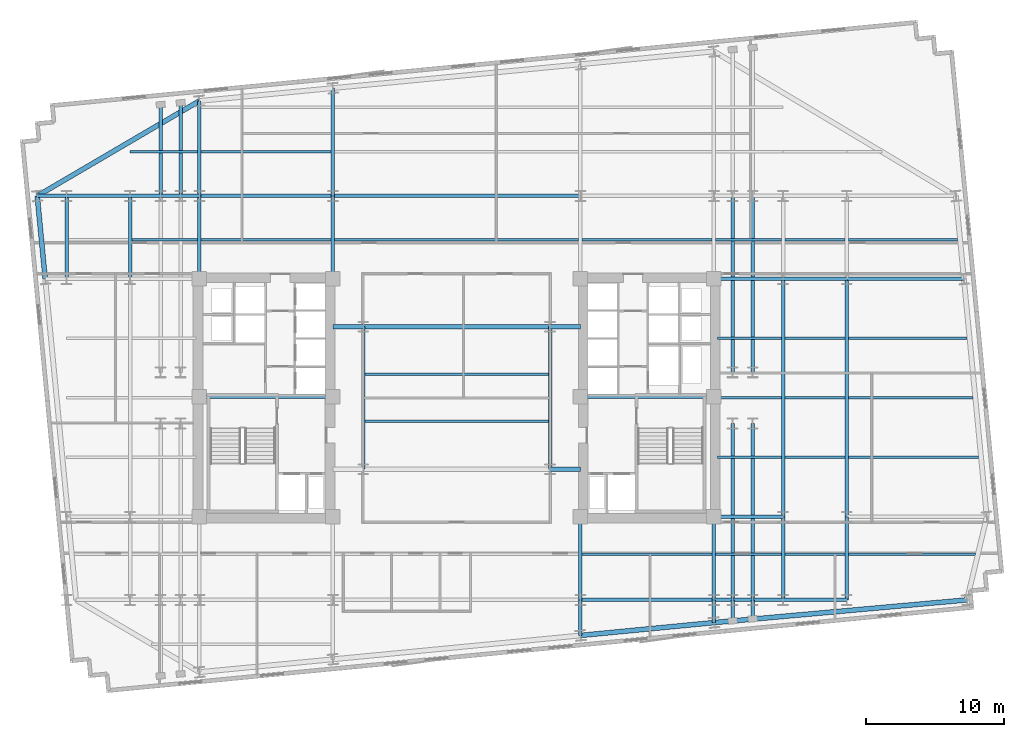
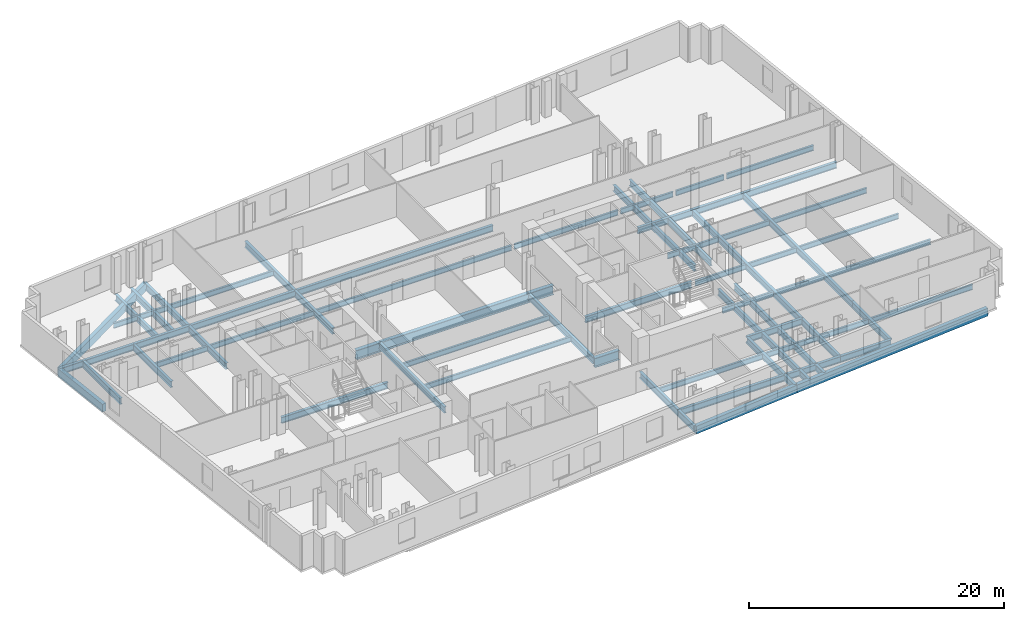
# One storey, part 2 of 10: 70 beams.
"""IFC4 building model written with IfcOpenShell, lengths in metres."""

from ifc_helpers import new_model, si_unit, direction, frame, origin, origin_2d, place, context, subcontext, project, spatial, rectangle, i_section, extrude, material, material_profile, profile_set, type_object, element, save


model = new_model("IFC4")

# Units and contexts
model_context = context("Model", 3, precision=1e-05, world=origin(), true_north=direction((0.0, 1.0)))
body_context = subcontext(model_context, "Body", "Model", "MODEL_VIEW")
ifc_project = project(units=[si_unit("LENGTHUNIT", "METRE"), si_unit("AREAUNIT", "SQUARE_METRE"), si_unit("VOLUMEUNIT", "CUBIC_METRE"), si_unit("PLANEANGLEUNIT", "RADIAN"), si_unit("MASSUNIT", "GRAM", prefix="KILO")], contexts=[model_context])

# Site, building, storey
site_placement = place(None, origin())
site = spatial("IfcSite", under=ifc_project, at=site_placement, CompositionType="ELEMENT")
building_placement = place(site_placement, origin())
building = spatial("IfcBuilding", under=site, at=building_placement, Name="Velakula Bourse", CompositionType="ELEMENT")
storey_placement = place(building_placement, frame((0.0, 0.0, 94.89990234375)))
storey = spatial("IfcBuildingStorey", under=building, at=storey_placement, Name="L25", CompositionType="ELEMENT", Elevation=94.89990234375)

# Beams
ifc_material_1 = material(Name="Steel IS 2062 Grade 350 (E350)", Category="steel")
ifc_material_profile_1 = material_profile(ifc_material_1, i_section(OverallWidth=0.25, OverallDepth=0.60009765625, WebThickness=0.01171875, FlangeThickness=0.023681640625, at=origin_2d()), Name="Steel IS 2062 Grade 350 (E350)")
ifc_profile_set_1 = profile_set([ifc_material_profile_1], Name="Steel IS 2062 Grade 350 (E350)")
beam_type_1 = type_object("IfcBeamType", Name="BM-GRD-600H", PredefinedType="BEAM", material=ifc_profile_set_1)
for number, where, z_axis, x_axis, name in (
    (1, (-18.60009765625, 0.10009765625, -0.47998046875), (1.0, 0.0, 0.0), (0.0, 1.0, 0.0), "L25 Primary Backbone Girder CRW-M"),
    (2, (8.949951171875, 0.10009765625, -0.47998046875), (1.0, 0.0, 0.0), (0.0, 1.0, 0.0), "L25 Primary Backbone Girder CRE-M"),
):
    element("IfcBeam", number, at=place(storey_placement, frame(where, z_axis=z_axis, x_axis=x_axis)), inside=storey, type_object=beam_type_1, Name=name, PredefinedType="BEAM", context=body_context, shape_type="SweptSolid", body=[
        extrude(i_section(OverallWidth=0.25, OverallDepth=0.60009765625, WebThickness=0.01171875, FlangeThickness=0.023681640625, at=origin_2d()), origin(), (0.0, 0.0, 1.0), 9.650146484375),
    ])
for number, where, z_axis, x_axis, name in (
    (3, (-6.75, -5.14990234375, -0.47998046875), (0.0, 1.0, 0.0), (-1.0, 0.0, 0.0), "L25 Primary Backbone Girder SPN-W"),
    (4, (6.75, -5.14990234375, -0.47998046875), (0.0, 1.0, 0.0), (-1.0, 0.0, 0.0), "L25 Primary Backbone Girder SPN-E"),
):
    element("IfcBeam", number, at=place(storey_placement, frame(where, z_axis=z_axis, x_axis=x_axis)), inside=storey, type_object=beam_type_1, Name=name, PredefinedType="BEAM", context=body_context, shape_type="SweptSolid", body=[
        extrude(i_section(OverallWidth=0.25, OverallDepth=0.60009765625, WebThickness=0.01171875, FlangeThickness=0.023681640625, at=origin_2d()), origin(), (0.0, 0.0, 1.0), 10.2998046875),
    ])
for number, where, z_axis, x_axis, name in (
    (5, (-18.60009765625, 8.60009765625, -0.47998046875), (0.0, 1.0, 0.0), (-1.0, 0.0, 0.0), "L25 Fulcrum Grid Girder FLC-WN"),
    (6, (-8.949951171875, 8.60009765625, -0.47998046875), (0.0, 1.0, 0.0), (-1.0, 0.0, 0.0), "L25 Fulcrum Grid Girder FLC-WCN"),
    (7, (8.949951171875, -14.60009765625, -0.47998046875), (0.0, 1.0, 0.0), (-1.0, 0.0, 0.0), "L25 Fulcrum Grid Girder FLC-ECS"),
    (8, (18.60009765625, -14.60009765625, -0.47998046875), (0.0, 1.0, 0.0), (-1.0, 0.0, 0.0), "L25 Fulcrum Grid Girder FLC-ES"),
):
    element("IfcBeam", number, at=place(storey_placement, frame(where, z_axis=z_axis, x_axis=x_axis)), inside=storey, type_object=beam_type_1, Name=name, PredefinedType="BEAM", context=body_context, shape_type="SweptSolid", body=[
        extrude(i_section(OverallWidth=0.25, OverallDepth=0.60009765625, WebThickness=0.01171875, FlangeThickness=0.023681640625, at=origin_2d()), origin(), (0.0, 0.0, 1.0), 6.0),
    ])
for number, where, z_axis, x_axis, name in (
    (9, (8.949951171875, -14.60009765625, -0.47998046875), (1.0, 0.0, 0.0), (0.0, 1.0, 0.0), "L25 Fulcrum Grid Girder FLC-S3"),
    (10, (-18.60009765625, 14.60009765625, -0.47998046875), (1.0, 0.0, 0.0), (0.0, 1.0, 0.0), "L25 Fulcrum Grid Girder FLC-N1"),
):
    element("IfcBeam", number, at=place(storey_placement, frame(where, z_axis=z_axis, x_axis=x_axis)), inside=storey, type_object=beam_type_1, Name=name, PredefinedType="BEAM", context=body_context, shape_type="SweptSolid", body=[
        extrude(i_section(OverallWidth=0.25, OverallDepth=0.60009765625, WebThickness=0.01171875, FlangeThickness=0.023681640625, at=origin_2d()), origin(), (0.0, 0.0, 1.0), 9.650146484375),
    ])
beam_1_placement = place(storey_placement, frame((-8.949951171875, 14.60009765625, -0.47998046875), z_axis=(1.0, 0.0, 0.0), x_axis=(0.0, 1.0, 0.0)))
element("IfcBeam", 11, at=beam_1_placement, inside=storey, type_object=beam_type_1, Name="L25 Fulcrum Grid Girder FLC-N2", PredefinedType="BEAM", context=body_context, shape_type="SweptSolid", body=[
    extrude(i_section(OverallWidth=0.25, OverallDepth=0.60009765625, WebThickness=0.01171875, FlangeThickness=0.023681640625, at=origin_2d()), origin(), (0.0, 0.0, 1.0), 17.89990234375),
])
for number, where, z_axis, x_axis, name in (
    (12, (19.949951171875, -14.60009765625, -0.47998046875), (0.0, 1.0, 0.0), (-1.0, 0.0, 0.0), "L25 Fulcrum Grid Girder FLC-PSE1"),
    (13, (19.949951171875, 1.85009765625, -0.47998046875), (0.0, 1.0, 0.0), (-1.0, 0.0, 0.0), "L25 Fulcrum Grid Girder FLC-PNE1"),
    (14, (21.39990234375, -14.60009765625, -0.47998046875), (0.0, 1.0, 0.0), (-1.0, 0.0, 0.0), "L25 Fulcrum Grid Girder FLC-PSE2"),
    (15, (21.39990234375, 1.85009765625, -0.47998046875), (0.0, 1.0, 0.0), (-1.0, 0.0, 0.0), "L25 Fulcrum Grid Girder FLC-PNE2"),
):
    element("IfcBeam", number, at=place(storey_placement, frame(where, z_axis=z_axis, x_axis=x_axis)), inside=storey, type_object=beam_type_1, Name=name, PredefinedType="BEAM", context=body_context, shape_type="SweptSolid", body=[
        extrude(i_section(OverallWidth=0.25, OverallDepth=0.60009765625, WebThickness=0.01171875, FlangeThickness=0.023681640625, at=origin_2d()), origin(), (0.0, 0.0, 1.0), 12.75),
    ])
beam_2_placement = place(storey_placement, frame((-23.60009765625, 14.60009765625, -0.47998046875), z_axis=(1.0, 0.0, 0.0), x_axis=(0.0, 1.0, 0.0)))
element("IfcBeam", 16, at=beam_2_placement, inside=storey, type_object=beam_type_1, Name="L25 Fulcrum Grid Girder MWG-WN2", PredefinedType="BEAM", context=body_context, shape_type="SweptSolid", body=[
    extrude(i_section(OverallWidth=0.25, OverallDepth=0.60009765625, WebThickness=0.01171875, FlangeThickness=0.023681640625, at=origin_2d()), origin(), (0.0, 0.0, 1.0), 5.0),
])
beam_3_placement = place(storey_placement, frame((-23.60009765625, 8.60009765625, -0.47998046875), z_axis=(0.0, 1.0, 0.0), x_axis=(-1.0, 0.0, 0.0)))
element("IfcBeam", 17, at=beam_3_placement, inside=storey, type_object=beam_type_1, Name="L25 Fulcrum Grid Girder MWG-WNS3", PredefinedType="BEAM", context=body_context, shape_type="SweptSolid", body=[
    extrude(i_section(OverallWidth=0.25, OverallDepth=0.60009765625, WebThickness=0.01171875, FlangeThickness=0.023681640625, at=origin_2d()), origin(), (0.0, 0.0, 1.0), 6.0),
])
for number, where, z_axis, x_axis, name in (
    (18, (18.60009765625, -14.60009765625, -0.47998046875), (1.0, 0.0, 0.0), (0.0, 1.0, 0.0), "L25 Fulcrum Grid Girder MWG-ES1"),
    (19, (18.60009765625, -8.60009765625, -0.47998046875), (1.0, 0.0, 0.0), (0.0, 1.0, 0.0), "L25 Fulcrum Grid Girder MWG-ES2"),
    (20, (18.60009765625, 8.60009765625, -0.47998046875), (1.0, 0.0, 0.0), (0.0, 1.0, 0.0), "L25 Fulcrum Grid Girder MWG-EN1"),
):
    element("IfcBeam", number, at=place(storey_placement, frame(where, z_axis=z_axis, x_axis=x_axis)), inside=storey, type_object=beam_type_1, Name=name, PredefinedType="BEAM", context=body_context, shape_type="SweptSolid", body=[
        extrude(i_section(OverallWidth=0.25, OverallDepth=0.60009765625, WebThickness=0.01171875, FlangeThickness=0.023681640625, at=origin_2d()), origin(), (0.0, 0.0, 1.0), 5.0),
    ])
beam_4_placement = place(storey_placement, frame((23.60009765625, -14.60009765625, -0.47998046875), z_axis=(0.0, 1.0, 0.0), x_axis=(-1.0, 0.0, 0.0)))
element("IfcBeam", 21, at=beam_4_placement, inside=storey, type_object=beam_type_1, Name="L25 Fulcrum Grid Girder MWG-ENS1", PredefinedType="BEAM", context=body_context, shape_type="SweptSolid", body=[
    extrude(i_section(OverallWidth=0.25, OverallDepth=0.60009765625, WebThickness=0.01171875, FlangeThickness=0.023681640625, at=origin_2d()), origin(), (0.0, 0.0, 1.0), 6.0),
])
beam_5_placement = place(storey_placement, frame((23.60009765625, -8.60009765625, -0.47998046875), z_axis=(0.0, 1.0, 0.0), x_axis=(-1.0, 0.0, 0.0)))
element("IfcBeam", 22, at=beam_5_placement, inside=storey, type_object=beam_type_1, Name="L25 Fulcrum Grid Girder MWG-ENS2", PredefinedType="BEAM", context=body_context, shape_type="SweptSolid", body=[
    extrude(i_section(OverallWidth=0.25, OverallDepth=0.60009765625, WebThickness=0.01171875, FlangeThickness=0.023681640625, at=origin_2d()), origin(), (0.0, 0.0, 1.0), 17.2001953125),
])
beam_6_placement = place(storey_placement, frame((-28.199951171875, 14.60009765625, -0.47998046875), z_axis=(1.0, 0.0, 0.0), x_axis=(0.0, 1.0, 0.0)))
element("IfcBeam", 23, at=beam_6_placement, inside=storey, type_object=beam_type_1, Name="L25 Fulcrum Grid Girder WNG-WN2", PredefinedType="BEAM", context=body_context, shape_type="SweptSolid", body=[
    extrude(i_section(OverallWidth=0.25, OverallDepth=0.60009765625, WebThickness=0.01171875, FlangeThickness=0.023681640625, at=origin_2d()), origin(), (0.0, 0.0, 1.0), 4.599853515625),
])
beam_7_placement = place(storey_placement, frame((-28.199951171875, 8.60009765625, -0.47998046875), z_axis=(0.0, 1.0, 0.0), x_axis=(-1.0, 0.0, 0.0)))
element("IfcBeam", 24, at=beam_7_placement, inside=storey, type_object=beam_type_1, Name="L25 Fulcrum Grid Girder WNG-WNS3", PredefinedType="BEAM", context=body_context, shape_type="SweptSolid", body=[
    extrude(i_section(OverallWidth=0.25, OverallDepth=0.60009765625, WebThickness=0.01171875, FlangeThickness=0.023681640625, at=origin_2d()), origin(), (0.0, 0.0, 1.0), 6.0),
])
for number, where, z_axis, x_axis, name in (
    (25, (23.60009765625, -14.60009765625, -0.47998046875), (1.0, 0.0, 0.0), (0.0, 1.0, 0.0), "L25 Fulcrum Grid Girder WNG-ES1"),
    (26, (23.60009765625, 8.60009765625, -0.47998046875), (1.0, 0.0, 0.0), (0.0, 1.0, 0.0), "L25 Fulcrum Grid Girder WNG-EN1"),
):
    element("IfcBeam", number, at=place(storey_placement, frame(where, z_axis=z_axis, x_axis=x_axis)), inside=storey, type_object=beam_type_1, Name=name, PredefinedType="BEAM", context=body_context, shape_type="SweptSolid", body=[
        extrude(i_section(OverallWidth=0.25, OverallDepth=0.60009765625, WebThickness=0.01171875, FlangeThickness=0.023681640625, at=origin_2d()), origin(), (0.0, 0.0, 1.0), 4.599853515625),
    ])
beam_8_placement = place(storey_placement, frame((28.199951171875, -14.60009765625, -0.47998046875), z_axis=(0.0, 1.0, 0.0), x_axis=(-1.0, 0.0, 0.0)))
element("IfcBeam", 27, at=beam_8_placement, inside=storey, type_object=beam_type_1, Name="L25 Fulcrum Grid Girder WNG-ENS1", PredefinedType="BEAM", context=body_context, shape_type="SweptSolid", body=[
    extrude(i_section(OverallWidth=0.25, OverallDepth=0.60009765625, WebThickness=0.01171875, FlangeThickness=0.023681640625, at=origin_2d()), origin(), (0.0, 0.0, 1.0), 6.0),
])
beam_9_placement = place(storey_placement, frame((28.199951171875, -8.60009765625, -0.47998046875), z_axis=(0.0, 1.0, 0.0), x_axis=(-1.0, 0.0, 0.0)))
element("IfcBeam", 28, at=beam_9_placement, inside=storey, type_object=beam_type_1, Name="L25 Fulcrum Grid Girder WNG-ENS2", PredefinedType="BEAM", context=body_context, shape_type="SweptSolid", body=[
    extrude(i_section(OverallWidth=0.25, OverallDepth=0.60009765625, WebThickness=0.01171875, FlangeThickness=0.023681640625, at=origin_2d()), origin(), (0.0, 0.0, 1.0), 17.2001953125),
])
beam_10_placement = place(storey_placement, frame((8.949951171875, -14.60009765625, -0.47998046875), z_axis=(0.0, -1.0, 0.0), x_axis=(1.0, 0.0, 0.0)))
element("IfcBeam", 29, at=beam_10_placement, inside=storey, type_object=beam_type_1, Name="L25 Perimeter Tie Girder S3", PredefinedType="BEAM", context=body_context, shape_type="SweptSolid", body=[
    extrude(i_section(OverallWidth=0.25, OverallDepth=0.60009765625, WebThickness=0.01171875, FlangeThickness=0.023681640625, at=origin_2d()), origin(), (0.0, 0.0, 1.0), 2.568359375),
])
beam_11_placement = place(storey_placement, frame((18.60009765625, -14.60009765625, -0.47998046875), z_axis=(0.0, -1.0, 0.0), x_axis=(1.0, 0.0, 0.0)))
element("IfcBeam", 30, at=beam_11_placement, inside=storey, type_object=beam_type_1, Name="L25 Perimeter Tie Girder S4", PredefinedType="BEAM", context=body_context, shape_type="SweptSolid", body=[
    extrude(i_section(OverallWidth=0.25, OverallDepth=0.60009765625, WebThickness=0.01171875, FlangeThickness=0.023681640625, at=origin_2d()), origin(), (0.0, 0.0, 1.0), 1.63916015625),
])
beam_12_placement = place(storey_placement, frame((-18.60009765625, 14.60009765625, -0.47998046875), z_axis=(0.0, 1.0, 0.0), x_axis=(-1.0, 0.0, 0.0)))
element("IfcBeam", 31, at=beam_12_placement, inside=storey, type_object=beam_type_1, Name="L25 Perimeter Tie Girder N1", PredefinedType="BEAM", context=body_context, shape_type="SweptSolid", body=[
    extrude(i_section(OverallWidth=0.25, OverallDepth=0.60009765625, WebThickness=0.01171875, FlangeThickness=0.023681640625, at=origin_2d()), origin(), (0.0, 0.0, 1.0), 6.868896484375),
])
beam_13_placement = place(storey_placement, frame((-8.949951171875, 14.60009765625, -0.47998046875), z_axis=(0.0, 1.0, 0.0), x_axis=(-1.0, 0.0, 0.0)))
element("IfcBeam", 32, at=beam_13_placement, inside=storey, type_object=beam_type_1, Name="L25 Perimeter Tie Girder N2", PredefinedType="BEAM", context=body_context, shape_type="SweptSolid", body=[
    extrude(i_section(OverallWidth=0.25, OverallDepth=0.60009765625, WebThickness=0.01171875, FlangeThickness=0.023681640625, at=origin_2d()), origin(), (0.0, 0.0, 1.0), 7.798095703125),
])
beam_14_placement = place(storey_placement, frame((-28.199951171875, 14.60009765625, -0.47998046875), z_axis=(-1.0, 0.0, 0.0), x_axis=(0.0, -1.0, 0.0)))
element("IfcBeam", 33, at=beam_14_placement, inside=storey, type_object=beam_type_1, Name="L25 Perimeter Tie Girder W4", PredefinedType="BEAM", context=body_context, shape_type="SweptSolid", body=[
    extrude(i_section(OverallWidth=0.25, OverallDepth=0.60009765625, WebThickness=0.01171875, FlangeThickness=0.023681640625, at=origin_2d()), origin(), (0.0, 0.0, 1.0), 2.119873046875),
])
beam_15_placement = place(storey_placement, frame((28.199951171875, 8.60009765625, -0.47998046875), z_axis=(1.0, 0.0, 0.0), x_axis=(0.0, 1.0, 0.0)))
element("IfcBeam", 34, at=beam_15_placement, inside=storey, type_object=beam_type_1, Name="L25 Perimeter Tie Girder E3", PredefinedType="BEAM", context=body_context, shape_type="SweptSolid", body=[
    extrude(i_section(OverallWidth=0.25, OverallDepth=0.60009765625, WebThickness=0.01171875, FlangeThickness=0.023681640625, at=origin_2d()), origin(), (0.0, 0.0, 1.0), 8.463623046875),
])
beam_16_placement = place(storey_placement, frame((19.949951171875, -14.60009765625, -0.47998046875), z_axis=(0.0, -1.0, 0.0), x_axis=(1.0, 0.0, 0.0)))
element("IfcBeam", 35, at=beam_16_placement, inside=storey, type_object=beam_type_1, Name="L25 Perimeter Tie Girder P03", PredefinedType="BEAM", context=body_context, shape_type="SweptSolid", body=[
    extrude(i_section(OverallWidth=0.25, OverallDepth=0.60009765625, WebThickness=0.01171875, FlangeThickness=0.023681640625, at=origin_2d()), origin(), (0.0, 0.0, 1.0), 1.509033203125),
])
beam_17_placement = place(storey_placement, frame((21.39990234375, -14.60009765625, -0.47998046875), z_axis=(0.0, -1.0, 0.0), x_axis=(1.0, 0.0, 0.0)))
element("IfcBeam", 36, at=beam_17_placement, inside=storey, type_object=beam_type_1, Name="L25 Perimeter Tie Girder P04", PredefinedType="BEAM", context=body_context, shape_type="SweptSolid", body=[
    extrude(i_section(OverallWidth=0.25, OverallDepth=0.60009765625, WebThickness=0.01171875, FlangeThickness=0.023681640625, at=origin_2d()), origin(), (0.0, 0.0, 1.0), 1.369384765625),
])
beam_18_placement = place(storey_placement, frame((-21.39990234375, 14.60009765625, -0.47998046875), z_axis=(0.0, 1.0, 0.0), x_axis=(-1.0, 0.0, 0.0)))
element("IfcBeam", 37, at=beam_18_placement, inside=storey, type_object=beam_type_1, Name="L25 Perimeter Tie Girder P05", PredefinedType="BEAM", context=body_context, shape_type="SweptSolid", body=[
    extrude(i_section(OverallWidth=0.25, OverallDepth=0.60009765625, WebThickness=0.01171875, FlangeThickness=0.023681640625, at=origin_2d()), origin(), (0.0, 0.0, 1.0), 6.59912109375),
])
beam_19_placement = place(storey_placement, frame((-19.949951171875, 14.60009765625, -0.47998046875), z_axis=(0.0, 1.0, 0.0), x_axis=(-1.0, 0.0, 0.0)))
element("IfcBeam", 38, at=beam_19_placement, inside=storey, type_object=beam_type_1, Name="L25 Perimeter Tie Girder P06", PredefinedType="BEAM", context=body_context, shape_type="SweptSolid", body=[
    extrude(i_section(OverallWidth=0.25, OverallDepth=0.60009765625, WebThickness=0.01171875, FlangeThickness=0.023681640625, at=origin_2d()), origin(), (0.0, 0.0, 1.0), 6.73876953125),
])
ifc_material_profile_2 = material_profile(ifc_material_1, i_section(OverallWidth=0.35009765625, OverallDepth=0.89990234375, WebThickness=0.02001953125, FlangeThickness=0.031982421875, at=origin_2d()), Name="Steel IS 2062 Grade 350 (E350)")
ifc_profile_set_2 = profile_set([ifc_material_profile_2], Name="Steel IS 2062 Grade 350 (E350)")
beam_type_2 = type_object("IfcBeamType", Name="BM-LNK-900", PredefinedType="BEAM", material=ifc_profile_set_2)
for number, where, z_axis, x_axis, name in (
    (39, (6.75, -5.14990234375, -0.6298828125), (1.0, 0.0, 0.0), (0.0, 1.0, 0.0), "L25 Primary Backbone Girder LNK-S3"),
    (40, (-8.949951171875, 5.14990234375, -0.6298828125), (1.0, 0.0, 0.0), (0.0, 1.0, 0.0), "L25 Primary Backbone Girder LNK-N1"),
):
    element("IfcBeam", number, at=place(storey_placement, frame(where, z_axis=z_axis, x_axis=x_axis)), inside=storey, type_object=beam_type_2, Name=name, PredefinedType="BEAM", context=body_context, shape_type="SweptSolid", body=[
        extrude(i_section(OverallWidth=0.35009765625, OverallDepth=0.89990234375, WebThickness=0.02001953125, FlangeThickness=0.031982421875, at=origin_2d()), origin(), (0.0, 0.0, 1.0), 2.199951171875),
    ])
beam_20_placement = place(storey_placement, frame((-6.75, 5.14990234375, -0.6298828125), z_axis=(1.0, 0.0, 0.0), x_axis=(0.0, 1.0, 0.0)))
element("IfcBeam", 41, at=beam_20_placement, inside=storey, type_object=beam_type_2, Name="L25 Primary Backbone Girder LNK-N2", PredefinedType="BEAM", context=body_context, shape_type="SweptSolid", body=[
    extrude(i_section(OverallWidth=0.35009765625, OverallDepth=0.89990234375, WebThickness=0.02001953125, FlangeThickness=0.031982421875, at=origin_2d()), origin(), (0.0, 0.0, 1.0), 13.5),
])
beam_21_placement = place(storey_placement, frame((6.75, 5.14990234375, -0.6298828125), z_axis=(1.0, 0.0, 0.0), x_axis=(0.0, 1.0, 0.0)))
element("IfcBeam", 42, at=beam_21_placement, inside=storey, type_object=beam_type_2, Name="L25 Primary Backbone Girder LNK-N3", PredefinedType="BEAM", context=body_context, shape_type="SweptSolid", body=[
    extrude(i_section(OverallWidth=0.35009765625, OverallDepth=0.89990234375, WebThickness=0.02001953125, FlangeThickness=0.031982421875, at=origin_2d()), origin(), (0.0, 0.0, 1.0), 2.199951171875),
])
ifc_material_profile_3 = material_profile(ifc_material_1, i_section(OverallWidth=0.179931640625, OverallDepth=0.5, WebThickness=0.01025390625, FlangeThickness=0.01708984375, at=origin_2d()), Name="Steel IS 2062 Grade 350 (E350)")
ifc_profile_set_3 = profile_set([ifc_material_profile_3], Name="Steel IS 2062 Grade 350 (E350)")
beam_type_3 = type_object("IfcBeamType", Name="JST-TWR-500", PredefinedType="JOIST", material=ifc_profile_set_3)
beam_22_placement = place(storey_placement, frame((9.074951171875, -11.300048828125, -0.429931640625), z_axis=(1.0, 0.0, 0.0), x_axis=(0.0, 1.0, 0.0)))
element("IfcBeam", 43, at=beam_22_placement, inside=storey, type_object=beam_type_3, Name="L25 Trading Floor Composite Joist 08", PredefinedType="JOIST", context=body_context, shape_type="SweptSolid", body=[
    extrude(i_section(OverallWidth=0.179931640625, OverallDepth=0.5, WebThickness=0.01025390625, FlangeThickness=0.01708984375, at=origin_2d()), origin(), (0.0, 0.0, 1.0), 9.400146484375),
])
beam_23_placement = place(storey_placement, frame((18.72509765625, -11.300048828125, -0.429931640625), z_axis=(1.0, 0.0, 0.0), x_axis=(0.0, 1.0, 0.0)))
element("IfcBeam", 44, at=beam_23_placement, inside=storey, type_object=beam_type_3, Name="L25 Trading Floor Composite Joist 09", PredefinedType="JOIST", context=body_context, shape_type="SweptSolid", body=[
    extrude(i_section(OverallWidth=0.179931640625, OverallDepth=0.5, WebThickness=0.01025390625, FlangeThickness=0.01708984375, at=origin_2d()), origin(), (0.0, 0.0, 1.0), 4.75),
])
beam_24_placement = place(storey_placement, frame((23.72509765625, -11.300048828125, -0.429931640625), z_axis=(1.0, 0.0, 0.0), x_axis=(0.0, 1.0, 0.0)))
element("IfcBeam", 45, at=beam_24_placement, inside=storey, type_object=beam_type_3, Name="L25 Trading Floor Composite Joist 10", PredefinedType="JOIST", context=body_context, shape_type="SweptSolid", body=[
    extrude(i_section(OverallWidth=0.179931640625, OverallDepth=0.5, WebThickness=0.01025390625, FlangeThickness=0.01708984375, at=origin_2d()), origin(), (0.0, 0.0, 1.0), 4.349853515625),
])
beam_25_placement = place(storey_placement, frame((28.324951171875, -11.300048828125, -0.429931640625), z_axis=(1.0, 0.0, 0.0), x_axis=(0.0, 1.0, 0.0)))
element("IfcBeam", 46, at=beam_25_placement, inside=storey, type_object=beam_type_3, Name="L25 Trading Floor Composite Joist 11", PredefinedType="JOIST", context=body_context, shape_type="SweptSolid", body=[
    extrude(i_section(OverallWidth=0.179931640625, OverallDepth=0.5, WebThickness=0.01025390625, FlangeThickness=0.01708984375, at=origin_2d()), origin(), (0.0, 0.0, 1.0), 9.170654296875),
])
beam_26_placement = place(storey_placement, frame((-23.47509765625, 11.449951171875, -0.429931640625), z_axis=(1.0, 0.0, 0.0), x_axis=(0.0, 1.0, 0.0)))
element("IfcBeam", 47, at=beam_26_placement, inside=storey, type_object=beam_type_3, Name="L25 Trading Floor Composite Joist 13", PredefinedType="JOIST", context=body_context, shape_type="SweptSolid", body=[
    extrude(i_section(OverallWidth=0.179931640625, OverallDepth=0.5, WebThickness=0.01025390625, FlangeThickness=0.01708984375, at=origin_2d()), origin(), (0.0, 0.0, 1.0), 4.75),
])
beam_27_placement = place(storey_placement, frame((-18.47509765625, 11.449951171875, -0.429931640625), z_axis=(1.0, 0.0, 0.0), x_axis=(0.0, 1.0, 0.0)))
element("IfcBeam", 48, at=beam_27_placement, inside=storey, type_object=beam_type_3, Name="L25 Trading Floor Composite Joist 14", PredefinedType="JOIST", context=body_context, shape_type="SweptSolid", body=[
    extrude(i_section(OverallWidth=0.179931640625, OverallDepth=0.5, WebThickness=0.01025390625, FlangeThickness=0.01708984375, at=origin_2d()), origin(), (0.0, 0.0, 1.0), 9.400146484375),
])
beam_28_placement = place(storey_placement, frame((-8.824951171875, 11.449951171875, -0.429931640625), z_axis=(1.0, 0.0, 0.0), x_axis=(0.0, 1.0, 0.0)))
element("IfcBeam", 49, at=beam_28_placement, inside=storey, type_object=beam_type_3, Name="L25 Trading Floor Composite Joist 15", PredefinedType="JOIST", context=body_context, shape_type="SweptSolid", body=[
    extrude(i_section(OverallWidth=0.179931640625, OverallDepth=0.5, WebThickness=0.01025390625, FlangeThickness=0.01708984375, at=origin_2d()), origin(), (0.0, 0.0, 1.0), 17.64990234375),
])
beam_29_placement = place(storey_placement, frame((9.074951171875, 11.449951171875, -0.429931640625), z_axis=(1.0, 0.0, 0.0), x_axis=(0.0, 1.0, 0.0)))
element("IfcBeam", 50, at=beam_29_placement, inside=storey, type_object=beam_type_3, Name="L25 Trading Floor Composite Joist 16", PredefinedType="JOIST", context=body_context, shape_type="SweptSolid", body=[
    extrude(i_section(OverallWidth=0.179931640625, OverallDepth=0.5, WebThickness=0.01025390625, FlangeThickness=0.01708984375, at=origin_2d()), origin(), (0.0, 0.0, 1.0), 9.400146484375),
])
beam_30_placement = place(storey_placement, frame((18.72509765625, 11.449951171875, -0.429931640625), z_axis=(1.0, 0.0, 0.0), x_axis=(0.0, 1.0, 0.0)))
element("IfcBeam", 51, at=beam_30_placement, inside=storey, type_object=beam_type_3, Name="L25 Trading Floor Composite Joist 17", PredefinedType="JOIST", context=body_context, shape_type="SweptSolid", body=[
    extrude(i_section(OverallWidth=0.179931640625, OverallDepth=0.5, WebThickness=0.01025390625, FlangeThickness=0.01708984375, at=origin_2d()), origin(), (0.0, 0.0, 1.0), 4.75),
])
beam_31_placement = place(storey_placement, frame((23.72509765625, 11.449951171875, -0.429931640625), z_axis=(1.0, 0.0, 0.0), x_axis=(0.0, 1.0, 0.0)))
element("IfcBeam", 52, at=beam_31_placement, inside=storey, type_object=beam_type_3, Name="L25 Trading Floor Composite Joist 18", PredefinedType="JOIST", context=body_context, shape_type="SweptSolid", body=[
    extrude(i_section(OverallWidth=0.179931640625, OverallDepth=0.5, WebThickness=0.01025390625, FlangeThickness=0.01708984375, at=origin_2d()), origin(), (0.0, 0.0, 1.0), 4.349853515625),
])
beam_32_placement = place(storey_placement, frame((28.324951171875, 11.449951171875, -0.429931640625), z_axis=(1.0, 0.0, 0.0), x_axis=(0.0, 1.0, 0.0)))
element("IfcBeam", 53, at=beam_32_placement, inside=storey, type_object=beam_type_3, Name="L25 Trading Floor Composite Joist 19", PredefinedType="JOIST", context=body_context, shape_type="SweptSolid", body=[
    extrude(i_section(OverallWidth=0.179931640625, OverallDepth=0.5, WebThickness=0.01025390625, FlangeThickness=0.01708984375, at=origin_2d()), origin(), (0.0, 0.0, 1.0), 7.888427734375),
])
beam_33_placement = place(storey_placement, frame((-23.60009765625, 17.800048828125, -0.429931640625), z_axis=(1.0, 0.0, 0.0), x_axis=(0.0, 1.0, 0.0)))
element("IfcBeam", 54, at=beam_33_placement, inside=storey, type_object=beam_type_3, Name="L25 Trading Floor Composite Joist 20", PredefinedType="JOIST", context=body_context, shape_type="SweptSolid", body=[
    extrude(i_section(OverallWidth=0.179931640625, OverallDepth=0.5, WebThickness=0.01025390625, FlangeThickness=0.01708984375, at=origin_2d()), origin(), (0.0, 0.0, 1.0), 4.875),
])
beam_34_placement = place(storey_placement, frame((-18.47509765625, 17.800048828125, -0.429931640625), z_axis=(1.0, 0.0, 0.0), x_axis=(0.0, 1.0, 0.0)))
element("IfcBeam", 55, at=beam_34_placement, inside=storey, type_object=beam_type_3, Name="L25 Trading Floor Composite Joist 21", PredefinedType="JOIST", context=body_context, shape_type="SweptSolid", body=[
    extrude(i_section(OverallWidth=0.179931640625, OverallDepth=0.5, WebThickness=0.01025390625, FlangeThickness=0.01708984375, at=origin_2d()), origin(), (0.0, 0.0, 1.0), 9.400146484375),
])
for number, where, z_axis, x_axis, name in (
    (56, (-6.625, -1.699951171875, -0.429931640625), (1.0, 0.0, 0.0), (0.0, 1.0, 0.0), "L25 Trading Floor Composite Joist 31"),
    (57, (-6.625, 1.699951171875, -0.429931640625), (1.0, 0.0, 0.0), (0.0, 1.0, 0.0), "L25 Trading Floor Composite Joist 32"),
):
    element("IfcBeam", number, at=place(storey_placement, frame(where, z_axis=z_axis, x_axis=x_axis)), inside=storey, type_object=beam_type_3, Name=name, PredefinedType="JOIST", context=body_context, shape_type="SweptSolid", body=[
        extrude(i_section(OverallWidth=0.179931640625, OverallDepth=0.5, WebThickness=0.01025390625, FlangeThickness=0.01708984375, at=origin_2d()), origin(), (0.0, 0.0, 1.0), 13.25),
    ])
beam_35_placement = place(storey_placement, frame((18.85009765625, -4.300048828125, -0.429931640625), z_axis=(1.0, 0.0, 0.0), x_axis=(0.0, 1.0, 0.0)))
element("IfcBeam", 58, at=beam_35_placement, inside=storey, type_object=beam_type_3, Name="L25 Trading Floor Composite Joist 35", PredefinedType="JOIST", context=body_context, shape_type="SweptSolid", body=[
    extrude(i_section(OverallWidth=0.179931640625, OverallDepth=0.5, WebThickness=0.01025390625, FlangeThickness=0.01708984375, at=origin_2d()), origin(), (0.0, 0.0, 1.0), 4.625),
])
beam_36_placement = place(storey_placement, frame((23.72509765625, -4.300048828125, -0.429931640625), z_axis=(1.0, 0.0, 0.0), x_axis=(0.0, 1.0, 0.0)))
element("IfcBeam", 59, at=beam_36_placement, inside=storey, type_object=beam_type_3, Name="L25 Trading Floor Composite Joist 36", PredefinedType="JOIST", context=body_context, shape_type="SweptSolid", body=[
    extrude(i_section(OverallWidth=0.179931640625, OverallDepth=0.5, WebThickness=0.01025390625, FlangeThickness=0.01708984375, at=origin_2d()), origin(), (0.0, 0.0, 1.0), 4.349853515625),
])
beam_37_placement = place(storey_placement, frame((28.324951171875, -4.300048828125, -0.429931640625), z_axis=(1.0, 0.0, 0.0), x_axis=(0.0, 1.0, 0.0)))
element("IfcBeam", 60, at=beam_37_placement, inside=storey, type_object=beam_type_3, Name="L25 Trading Floor Composite Joist 37", PredefinedType="JOIST", context=body_context, shape_type="SweptSolid", body=[
    extrude(i_section(OverallWidth=0.179931640625, OverallDepth=0.5, WebThickness=0.01025390625, FlangeThickness=0.01708984375, at=origin_2d()), origin(), (0.0, 0.0, 1.0), 9.405029296875),
])
beam_38_placement = place(storey_placement, frame((18.85009765625, 0.0, -0.429931640625), z_axis=(1.0, 0.0, 0.0), x_axis=(0.0, 1.0, 0.0)))
element("IfcBeam", 61, at=beam_38_placement, inside=storey, type_object=beam_type_3, Name="L25 Trading Floor Composite Joist 40", PredefinedType="JOIST", context=body_context, shape_type="SweptSolid", body=[
    extrude(i_section(OverallWidth=0.179931640625, OverallDepth=0.5, WebThickness=0.01025390625, FlangeThickness=0.01708984375, at=origin_2d()), origin(), (0.0, 0.0, 1.0), 4.625),
])
beam_39_placement = place(storey_placement, frame((23.72509765625, 0.0, -0.429931640625), z_axis=(1.0, 0.0, 0.0), x_axis=(0.0, 1.0, 0.0)))
element("IfcBeam", 62, at=beam_39_placement, inside=storey, type_object=beam_type_3, Name="L25 Trading Floor Composite Joist 41", PredefinedType="JOIST", context=body_context, shape_type="SweptSolid", body=[
    extrude(i_section(OverallWidth=0.179931640625, OverallDepth=0.5, WebThickness=0.01025390625, FlangeThickness=0.01708984375, at=origin_2d()), origin(), (0.0, 0.0, 1.0), 4.349853515625),
])
beam_40_placement = place(storey_placement, frame((28.324951171875, 0.0, -0.429931640625), z_axis=(1.0, 0.0, 0.0), x_axis=(0.0, 1.0, 0.0)))
element("IfcBeam", 63, at=beam_40_placement, inside=storey, type_object=beam_type_3, Name="L25 Trading Floor Composite Joist 42", PredefinedType="JOIST", context=body_context, shape_type="SweptSolid", body=[
    extrude(i_section(OverallWidth=0.179931640625, OverallDepth=0.5, WebThickness=0.01025390625, FlangeThickness=0.01708984375, at=origin_2d()), origin(), (0.0, 0.0, 1.0), 8.990966796875),
])
beam_41_placement = place(storey_placement, frame((18.85009765625, 4.300048828125, -0.429931640625), z_axis=(1.0, 0.0, 0.0), x_axis=(0.0, 1.0, 0.0)))
element("IfcBeam", 64, at=beam_41_placement, inside=storey, type_object=beam_type_3, Name="L25 Trading Floor Composite Joist 45", PredefinedType="JOIST", context=body_context, shape_type="SweptSolid", body=[
    extrude(i_section(OverallWidth=0.179931640625, OverallDepth=0.5, WebThickness=0.01025390625, FlangeThickness=0.01708984375, at=origin_2d()), origin(), (0.0, 0.0, 1.0), 4.625),
])
beam_42_placement = place(storey_placement, frame((23.72509765625, 4.300048828125, -0.429931640625), z_axis=(1.0, 0.0, 0.0), x_axis=(0.0, 1.0, 0.0)))
element("IfcBeam", 65, at=beam_42_placement, inside=storey, type_object=beam_type_3, Name="L25 Trading Floor Composite Joist 46", PredefinedType="JOIST", context=body_context, shape_type="SweptSolid", body=[
    extrude(i_section(OverallWidth=0.179931640625, OverallDepth=0.5, WebThickness=0.01025390625, FlangeThickness=0.01708984375, at=origin_2d()), origin(), (0.0, 0.0, 1.0), 4.349853515625),
])
beam_43_placement = place(storey_placement, frame((28.324951171875, 4.300048828125, -0.429931640625), z_axis=(1.0, 0.0, 0.0), x_axis=(0.0, 1.0, 0.0)))
element("IfcBeam", 66, at=beam_43_placement, inside=storey, type_object=beam_type_3, Name="L25 Trading Floor Composite Joist 47", PredefinedType="JOIST", context=body_context, shape_type="SweptSolid", body=[
    extrude(i_section(OverallWidth=0.179931640625, OverallDepth=0.5, WebThickness=0.01025390625, FlangeThickness=0.01708984375, at=origin_2d()), origin(), (0.0, 0.0, 1.0), 8.576904296875),
])
ifc_material_2 = material(Name="Precast concrete M45 (fck 45 MPa)", Category="concrete")
ifc_material_profile_4 = material_profile(ifc_material_2, rectangle(XDim=0.35009765625, YDim=0.75, at=origin_2d()), Name="Precast concrete M45 (fck 45 MPa)")
ifc_profile_set_4 = profile_set([ifc_material_profile_4], Name="Precast concrete M45 (fck 45 MPa)")
beam_type_4 = type_object("IfcBeamType", Name="SPN-BRICK-750", PredefinedType="SPANDREL", material=ifc_profile_set_4)
beam_44_placement = place(storey_placement, frame((8.949951171875, -17.16845703125, -0.554931640625), z_axis=(0.99539623971, 0.095845323155, 0.0), x_axis=(-0.095845323155, 0.99539623971, 0.0)))
element("IfcBeam", 67, at=beam_44_placement, inside=storey, type_object=beam_type_4, Name="L25 Brick-Faced Precast Spandrel S3-S4", PredefinedType="SPANDREL", context=body_context, shape_type="SweptSolid", body=[
    extrude(rectangle(XDim=0.35009765625, YDim=0.75, at=origin_2d()), origin(), (0.0, 0.0, 1.0), 9.69482421875),
])
beam_45_placement = place(storey_placement, frame((-29.7421875, 8.60009765625, -0.554931640625), z_axis=(-0.095829714309, 0.995397742541, 0.0), x_axis=(-0.995397742541, -0.095829714309, 0.0)))
element("IfcBeam", 68, at=beam_45_placement, inside=storey, type_object=beam_type_4, Name="L25 Brick-Faced Precast Spandrel W3-W4", PredefinedType="SPANDREL", context=body_context, shape_type="SweptSolid", body=[
    extrude(rectangle(XDim=0.35009765625, YDim=0.75, at=origin_2d()), origin(), (0.0, 0.0, 1.0), 6.02783203125),
])
beam_46_placement = place(storey_placement, frame((18.60009765625, -16.2392578125, -0.554931640625), z_axis=(0.99600727708, 0.089272078527, 0.0), x_axis=(-0.089272078527, 0.99600727708, 0.0)))
element("IfcBeam", 69, at=beam_46_placement, inside=storey, type_object=beam_type_4, Name="L25 Brick-Faced Precast Spandrel S4-E1", PredefinedType="SPANDREL", context=body_context, shape_type="SweptSolid", body=[
    extrude(rectangle(XDim=0.35009765625, YDim=0.75, at=origin_2d()), origin(), (0.0, 0.0, 1.0), 18.361328125),
])
beam_47_placement = place(storey_placement, frame((-18.60009765625, 21.468994140625, -0.554931640625), z_axis=(-0.862739335169, -0.505648929151, 0.0), x_axis=(0.505648929151, -0.862739335169, 0.0)))
element("IfcBeam", 70, at=beam_47_placement, inside=storey, type_object=beam_type_4, Name="L25 Brick-Faced Precast Spandrel N1-W4", PredefinedType="SPANDREL", context=body_context, shape_type="SweptSolid", body=[
    extrude(rectangle(XDim=0.35009765625, YDim=0.75, at=origin_2d()), origin(), (0.0, 0.0, 1.0), 13.584228515625),
])

save(model, "model.ifc")
